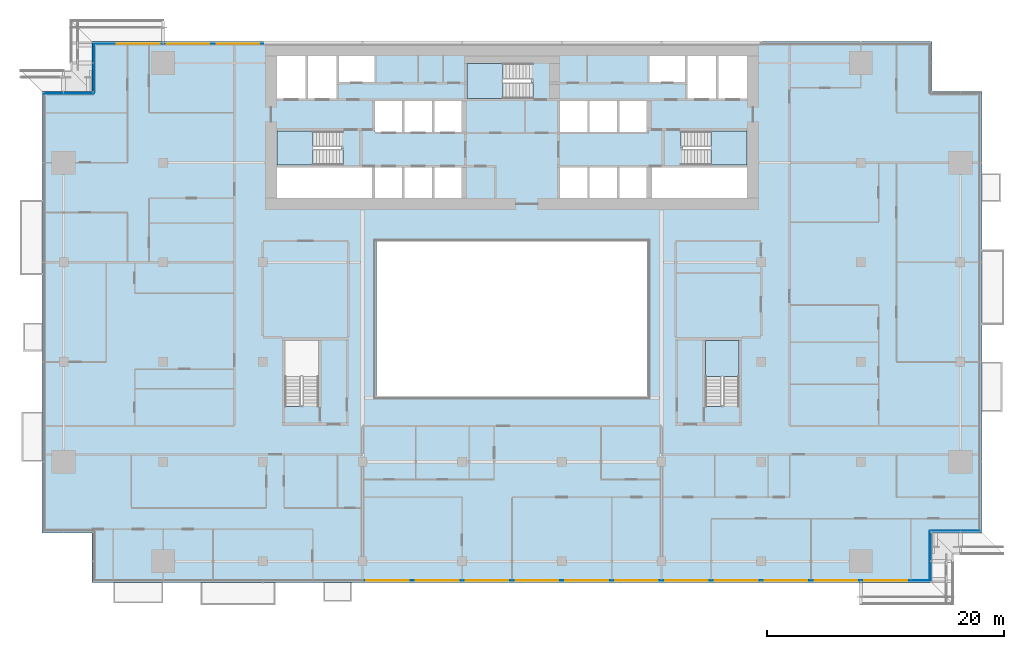
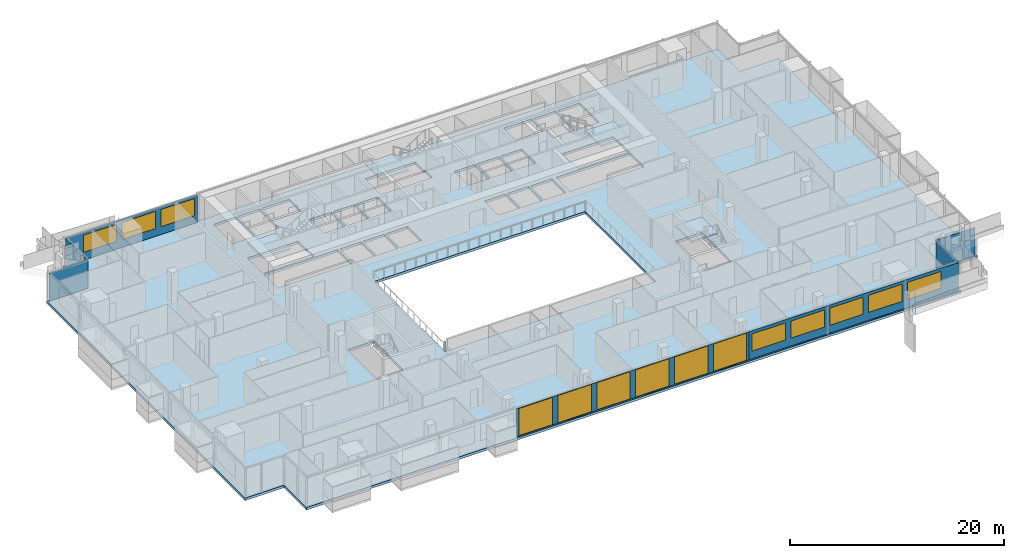
# One storey, part 15 of 29: 14 windows, 7 plates, 5 slabs, 14 openings, 10 elements without a shape of their own.
"""IFC4 building model written with IfcOpenShell, lengths in metres."""

from ifc_helpers import new_model, si_unit, direction, frame, frame_2d, origin, place, context, subcontext, project, spatial, polyline, rectangle, outline, extrude, material, layer, layer_set, type_object, element, fill, aggregate, save


model = new_model("IFC4")

# Units and contexts
model_context = context("Model", 3, precision=1e-05, world=origin(), true_north=direction((0.0, 1.0)))
body_context = subcontext(model_context, "Body", "Model", "MODEL_VIEW")
ifc_project = project(units=[si_unit("LENGTHUNIT", "METRE"), si_unit("AREAUNIT", "SQUARE_METRE"), si_unit("VOLUMEUNIT", "CUBIC_METRE"), si_unit("PLANEANGLEUNIT", "RADIAN"), si_unit("MASSUNIT", "GRAM", prefix="KILO")], contexts=[model_context])

# Site, building, storey
site_placement = place(None, origin())
site = spatial("IfcSite", under=ifc_project, at=site_placement, CompositionType="ELEMENT")
building_placement = place(site_placement, origin())
building = spatial("IfcBuilding", under=site, at=building_placement, Name="Saffron Gate Tower", CompositionType="ELEMENT")
storey_placement = place(building_placement, frame((0.0, 0.0, 106.050048828125)))
storey = spatial("IfcBuildingStorey", under=building, at=storey_placement, Name="L24", CompositionType="ELEMENT", Elevation=106.050048828125)

# Curtain wall, plates, openings, windows
ifc_material_1 = material(Name="Aluminium, bronze anodised", Category="aluminium")
curtain_wall_type_1 = type_object("IfcCurtainWallType", Name="CWS1 curtain wall front facade", PredefinedType="NOTDEFINED", material=ifc_material_1)
curtain_wall_1_placement = place(storey_placement, origin())
curtain_wall_1 = element("IfcCurtainWall", 1, at=curtain_wall_1_placement, inside=storey, type_object=curtain_wall_type_1, Name="CWS1 run 1", PredefinedType="NOTDEFINED")
ifc_material_2 = material(Name="Clear low-iron laminated glass", Category="glass")
ifc_layer_1 = layer(ifc_material_2, 0.028076171875)
ifc_layer_set_1 = layer_set([ifc_layer_1], Name="CWS1 clear glass")
plate_type_1 = type_object("IfcPlateType", Name="CWS1 clear glass", PredefinedType="CURTAIN_PANEL", material=ifc_layer_set_1)
plate_1_placement = place(storey_placement, frame((75.030029296875, 30.174072265625, 0.0), z_axis=(0.0, 0.0, 1.0), x_axis=(1.0, 0.0, 0.0)))
plate_1 = element("IfcPlate", 2, at=plate_1_placement, type_object=plate_type_1, Name="CWS1 clear glass panel", PredefinedType="CURTAIN_PANEL", context=body_context, shape_type="SweptSolid", body=[
    extrude(rectangle(XDim=25.139892578125, YDim=0.028076171875, at=frame_2d((12.56982421875, 0.0))), origin(), (0.0, 0.0, 1.0), 3.199951171875),
])
opening_1_placement = place(plate_1_placement, frame((0.27001953125, 0.0, 0.050048828125)))
opening_1 = element("IfcOpeningElement", 3, at=opening_1_placement, cuts=plate_1, Name="Opening WA", PredefinedType="OPENING", context=body_context, shape_type="SweptSolid", body=[
    extrude(rectangle(XDim=3.60009765625, YDim=3.10009765625, at=frame_2d((1.800048828125, 1.550048828125))), frame((0.0, 0.02392578125, 0.0), z_axis=(0.0, -1.0, 0.0), x_axis=(1.0, 0.0, 0.0)), (0.0, 0.0, 1.0), 0.048095703125),
])
opening_2_placement = place(plate_1_placement, frame((4.469970703125, 0.0, 0.050048828125)))
opening_2 = element("IfcOpeningElement", 4, at=opening_2_placement, cuts=plate_1, Name="Opening WA", PredefinedType="OPENING", context=body_context, shape_type="SweptSolid", body=[
    extrude(rectangle(XDim=3.60009765625, YDim=3.10009765625, at=frame_2d((1.800048828125, 1.550048828125))), frame((0.0, 0.02392578125, 0.0), z_axis=(0.0, -1.0, 0.0), x_axis=(1.0, 0.0, 0.0)), (0.0, 0.0, 1.0), 0.048095703125),
])
opening_3_placement = place(plate_1_placement, frame((8.669921875, 0.0, 0.050048828125)))
opening_3 = element("IfcOpeningElement", 5, at=opening_3_placement, cuts=plate_1, Name="Opening WA", PredefinedType="OPENING", context=body_context, shape_type="SweptSolid", body=[
    extrude(rectangle(XDim=3.60009765625, YDim=3.10009765625, at=frame_2d((1.800048828125, 1.550048828125))), frame((0.0, 0.02392578125, 0.0), z_axis=(0.0, -1.0, 0.0), x_axis=(1.0, 0.0, 0.0)), (0.0, 0.0, 1.0), 0.048095703125),
])
opening_4_placement = place(plate_1_placement, frame((12.8701171875, 0.0, 0.050048828125)))
opening_4 = element("IfcOpeningElement", 6, at=opening_4_placement, cuts=plate_1, Name="Opening WA", PredefinedType="OPENING", context=body_context, shape_type="SweptSolid", body=[
    extrude(rectangle(XDim=3.60009765625, YDim=3.10009765625, at=frame_2d((1.800048828125, 1.550048828125))), frame((0.0, 0.02392578125, 0.0), z_axis=(0.0, -1.0, 0.0), x_axis=(1.0, 0.0, 0.0)), (0.0, 0.0, 1.0), 0.048095703125),
])
opening_5_placement = place(plate_1_placement, frame((17.070068359375, 0.0, 0.050048828125)))
opening_5 = element("IfcOpeningElement", 7, at=opening_5_placement, cuts=plate_1, Name="Opening WA", PredefinedType="OPENING", context=body_context, shape_type="SweptSolid", body=[
    extrude(rectangle(XDim=3.60009765625, YDim=3.10009765625, at=frame_2d((1.800048828125, 1.550048828125))), frame((0.0, 0.02392578125, 0.0), z_axis=(0.0, -1.0, 0.0), x_axis=(1.0, 0.0, 0.0)), (0.0, 0.0, 1.0), 0.048095703125),
])
opening_6_placement = place(plate_1_placement, frame((21.27001953125, 0.0, 0.050048828125)))
opening_6 = element("IfcOpeningElement", 8, at=opening_6_placement, cuts=plate_1, Name="Opening WA", PredefinedType="OPENING", context=body_context, shape_type="SweptSolid", body=[
    extrude(rectangle(XDim=3.60009765625, YDim=3.10009765625, at=frame_2d((1.800048828125, 1.550048828125))), frame((0.0, 0.02392578125, 0.0), z_axis=(0.0, -1.0, 0.0), x_axis=(1.0, 0.0, 0.0)), (0.0, 0.0, 1.0), 0.048095703125),
])
ifc_material_3 = material(Name="Clear low-iron laminated glass in bronze frame", Category="glass")
ifc_layer_2 = layer(ifc_material_3, 0.06005859375)
ifc_layer_set_2 = layer_set([ifc_layer_2], Name="WA operable atrium unit 3600x3100")
window_type_1 = type_object("IfcWindowType", Name="WA operable atrium unit 3600x3100", PartitioningType="DOUBLE_PANEL_HORIZONTAL", PredefinedType="WINDOW", material=ifc_layer_set_2)
window_1_placement = place(opening_1_placement, origin())
window_1 = element("IfcWindow", 9, at=window_1_placement, type_object=window_type_1, Name="WA operable atrium unit", OverallHeight=3.10009765625, OverallWidth=3.60009765625, PartitioningType="SINGLE_PANEL", PredefinedType="WINDOW", context=body_context, shape_type="SweptSolid", body=[
    extrude(rectangle(XDim=3.60009765625, YDim=3.10009765625, at=frame_2d((1.800048828125, 1.550048828125))), frame((0.0, 0.013671875, 0.0), z_axis=(0.0, -1.0, 0.0), x_axis=(1.0, 0.0, 0.0)), (0.0, 0.0, 1.0), 0.027587890625),
])
fill(opening_1, window_1)
window_2_placement = place(opening_2_placement, origin())
window_2 = element("IfcWindow", 10, at=window_2_placement, type_object=window_type_1, Name="WA operable atrium unit", OverallHeight=3.10009765625, OverallWidth=3.60009765625, PartitioningType="SINGLE_PANEL", PredefinedType="WINDOW", context=body_context, shape_type="SweptSolid", body=[
    extrude(rectangle(XDim=3.60009765625, YDim=3.10009765625, at=frame_2d((1.800048828125, 1.550048828125))), frame((0.0, 0.013671875, 0.0), z_axis=(0.0, -1.0, 0.0), x_axis=(1.0, 0.0, 0.0)), (0.0, 0.0, 1.0), 0.027587890625),
])
fill(opening_2, window_2)
window_3_placement = place(opening_3_placement, origin())
window_3 = element("IfcWindow", 11, at=window_3_placement, type_object=window_type_1, Name="WA operable atrium unit", OverallHeight=3.10009765625, OverallWidth=3.60009765625, PartitioningType="SINGLE_PANEL", PredefinedType="WINDOW", context=body_context, shape_type="SweptSolid", body=[
    extrude(rectangle(XDim=3.60009765625, YDim=3.10009765625, at=frame_2d((1.800048828125, 1.550048828125))), frame((0.0, 0.013671875, 0.0), z_axis=(0.0, -1.0, 0.0), x_axis=(1.0, 0.0, 0.0)), (0.0, 0.0, 1.0), 0.027587890625),
])
fill(opening_3, window_3)
window_4_placement = place(opening_4_placement, origin())
window_4 = element("IfcWindow", 12, at=window_4_placement, type_object=window_type_1, Name="WA operable atrium unit", OverallHeight=3.10009765625, OverallWidth=3.60009765625, PartitioningType="SINGLE_PANEL", PredefinedType="WINDOW", context=body_context, shape_type="SweptSolid", body=[
    extrude(rectangle(XDim=3.60009765625, YDim=3.10009765625, at=frame_2d((1.800048828125, 1.550048828125))), frame((0.0, 0.013671875, 0.0), z_axis=(0.0, -1.0, 0.0), x_axis=(1.0, 0.0, 0.0)), (0.0, 0.0, 1.0), 0.027587890625),
])
fill(opening_4, window_4)
window_5_placement = place(opening_5_placement, origin())
window_5 = element("IfcWindow", 13, at=window_5_placement, type_object=window_type_1, Name="WA operable atrium unit", OverallHeight=3.10009765625, OverallWidth=3.60009765625, PartitioningType="SINGLE_PANEL", PredefinedType="WINDOW", context=body_context, shape_type="SweptSolid", body=[
    extrude(rectangle(XDim=3.60009765625, YDim=3.10009765625, at=frame_2d((1.800048828125, 1.550048828125))), frame((0.0, 0.013671875, 0.0), z_axis=(0.0, -1.0, 0.0), x_axis=(1.0, 0.0, 0.0)), (0.0, 0.0, 1.0), 0.027587890625),
])
fill(opening_5, window_5)
window_6_placement = place(opening_6_placement, origin())
window_6 = element("IfcWindow", 14, at=window_6_placement, type_object=window_type_1, Name="WA operable atrium unit", OverallHeight=3.10009765625, OverallWidth=3.60009765625, PartitioningType="SINGLE_PANEL", PredefinedType="WINDOW", context=body_context, shape_type="SweptSolid", body=[
    extrude(rectangle(XDim=3.60009765625, YDim=3.10009765625, at=frame_2d((1.800048828125, 1.550048828125))), frame((0.0, 0.013671875, 0.0), z_axis=(0.0, -1.0, 0.0), x_axis=(1.0, 0.0, 0.0)), (0.0, 0.0, 1.0), 0.027587890625),
])
fill(opening_6, window_6)
ifc_material_4 = material(Name="Fritted bronze-tinted laminated glass", Category="glass")
ifc_layer_3 = layer(ifc_material_4, 0.028076171875)
ifc_layer_set_3 = layer_set([ifc_layer_3], Name="CWS1 fixed glass")
plate_type_2 = type_object("IfcPlateType", Name="CWS1 fixed glass", PredefinedType="CURTAIN_PANEL", material=ifc_layer_set_3)
plate_2_placement = place(storey_placement, frame((100.169921875, 30.174072265625, 0.0), z_axis=(0.0, 0.0, 1.0), x_axis=(1.0, 0.0, 0.0)))
plate_2 = element("IfcPlate", 15, at=plate_2_placement, type_object=plate_type_2, Name="CWS1 glass panel", PredefinedType="CURTAIN_PANEL", context=body_context, shape_type="SweptSolid", body=[
    extrude(rectangle(XDim=22.64208984375, YDim=0.028076171875, at=frame_2d((11.321044921875, 0.0))), origin(), (0.0, 0.0, 1.0), 3.199951171875),
])
opening_7_placement = place(plate_2_placement, frame((0.330078125, 0.0, 0.89990234375)))
opening_7 = element("IfcOpeningElement", 16, at=opening_7_placement, cuts=plate_2, Name="Opening W1", PredefinedType="OPENING", context=body_context, shape_type="SweptSolid", body=[
    extrude(rectangle(XDim=3.60009765625, YDim=1.949951171875, at=frame_2d((1.800048828125, 0.97509765625))), frame((0.0, 0.02392578125, 0.0), z_axis=(0.0, -1.0, 0.0), x_axis=(1.0, 0.0, 0.0)), (0.0, 0.0, 1.0), 0.048095703125),
])
opening_8_placement = place(plate_2_placement, frame((4.530029296875, 0.0, 0.89990234375)))
opening_8 = element("IfcOpeningElement", 17, at=opening_8_placement, cuts=plate_2, Name="Opening W1", PredefinedType="OPENING", context=body_context, shape_type="SweptSolid", body=[
    extrude(rectangle(XDim=3.60009765625, YDim=1.949951171875, at=frame_2d((1.800048828125, 0.97509765625))), frame((0.0, 0.02392578125, 0.0), z_axis=(0.0, -1.0, 0.0), x_axis=(1.0, 0.0, 0.0)), (0.0, 0.0, 1.0), 0.048095703125),
])
opening_9_placement = place(plate_2_placement, frame((8.72998046875, 0.0, 0.89990234375)))
opening_9 = element("IfcOpeningElement", 18, at=opening_9_placement, cuts=plate_2, Name="Opening W1", PredefinedType="OPENING", context=body_context, shape_type="SweptSolid", body=[
    extrude(rectangle(XDim=3.60009765625, YDim=1.949951171875, at=frame_2d((1.800048828125, 0.97509765625))), frame((0.0, 0.02392578125, 0.0), z_axis=(0.0, -1.0, 0.0), x_axis=(1.0, 0.0, 0.0)), (0.0, 0.0, 1.0), 0.048095703125),
])
opening_10_placement = place(plate_2_placement, frame((12.929931640625, 0.0, 0.89990234375)))
opening_10 = element("IfcOpeningElement", 19, at=opening_10_placement, cuts=plate_2, Name="Opening W1", PredefinedType="OPENING", context=body_context, shape_type="SweptSolid", body=[
    extrude(rectangle(XDim=3.60009765625, YDim=1.949951171875, at=frame_2d((1.800048828125, 0.97509765625))), frame((0.0, 0.02392578125, 0.0), z_axis=(0.0, -1.0, 0.0), x_axis=(1.0, 0.0, 0.0)), (0.0, 0.0, 1.0), 0.048095703125),
])
opening_11_placement = place(plate_2_placement, frame((17.1298828125, 0.0, 0.89990234375)))
opening_11 = element("IfcOpeningElement", 20, at=opening_11_placement, cuts=plate_2, Name="Opening W1", PredefinedType="OPENING", context=body_context, shape_type="SweptSolid", body=[
    extrude(rectangle(XDim=3.60009765625, YDim=1.949951171875, at=frame_2d((1.800048828125, 0.97509765625))), frame((0.0, 0.02392578125, 0.0), z_axis=(0.0, -1.0, 0.0), x_axis=(1.0, 0.0, 0.0)), (0.0, 0.0, 1.0), 0.048095703125),
])
ifc_material_5 = material(Name="Fritted bronze-tinted laminated glass in bronze frame", Category="glass")
ifc_layer_4 = layer(ifc_material_5, 0.06005859375)
ifc_layer_set_4 = layer_set([ifc_layer_4], Name="W1 operable panel 3600x1950")
window_type_2 = type_object("IfcWindowType", Name="W1 operable panel 3600x1950", PartitioningType="DOUBLE_PANEL_HORIZONTAL", PredefinedType="WINDOW", material=ifc_layer_set_4)
window_7_placement = place(opening_7_placement, origin())
window_7 = element("IfcWindow", 21, at=window_7_placement, type_object=window_type_2, Name="W1 operable panel", OverallHeight=1.949951171875, OverallWidth=3.60009765625, PartitioningType="SINGLE_PANEL", PredefinedType="WINDOW", context=body_context, shape_type="SweptSolid", body=[
    extrude(rectangle(XDim=3.60009765625, YDim=1.949951171875, at=frame_2d((1.800048828125, 0.97509765625))), frame((0.0, 0.013671875, 0.0), z_axis=(0.0, -1.0, 0.0), x_axis=(1.0, 0.0, 0.0)), (0.0, 0.0, 1.0), 0.027587890625),
])
fill(opening_7, window_7)
window_8_placement = place(opening_8_placement, origin())
window_8 = element("IfcWindow", 22, at=window_8_placement, type_object=window_type_2, Name="W1 operable panel", OverallHeight=1.949951171875, OverallWidth=3.60009765625, PartitioningType="SINGLE_PANEL", PredefinedType="WINDOW", context=body_context, shape_type="SweptSolid", body=[
    extrude(rectangle(XDim=3.60009765625, YDim=1.949951171875, at=frame_2d((1.800048828125, 0.97509765625))), frame((0.0, 0.013671875, 0.0), z_axis=(0.0, -1.0, 0.0), x_axis=(1.0, 0.0, 0.0)), (0.0, 0.0, 1.0), 0.027587890625),
])
fill(opening_8, window_8)
window_9_placement = place(opening_9_placement, origin())
window_9 = element("IfcWindow", 23, at=window_9_placement, type_object=window_type_2, Name="W1 operable panel", OverallHeight=1.949951171875, OverallWidth=3.60009765625, PartitioningType="SINGLE_PANEL", PredefinedType="WINDOW", context=body_context, shape_type="SweptSolid", body=[
    extrude(rectangle(XDim=3.60009765625, YDim=1.949951171875, at=frame_2d((1.800048828125, 0.97509765625))), frame((0.0, 0.013671875, 0.0), z_axis=(0.0, -1.0, 0.0), x_axis=(1.0, 0.0, 0.0)), (0.0, 0.0, 1.0), 0.027587890625),
])
fill(opening_9, window_9)
window_10_placement = place(opening_10_placement, origin())
window_10 = element("IfcWindow", 24, at=window_10_placement, type_object=window_type_2, Name="W1 operable panel", OverallHeight=1.949951171875, OverallWidth=3.60009765625, PartitioningType="SINGLE_PANEL", PredefinedType="WINDOW", context=body_context, shape_type="SweptSolid", body=[
    extrude(rectangle(XDim=3.60009765625, YDim=1.949951171875, at=frame_2d((1.800048828125, 0.97509765625))), frame((0.0, 0.013671875, 0.0), z_axis=(0.0, -1.0, 0.0), x_axis=(1.0, 0.0, 0.0)), (0.0, 0.0, 1.0), 0.027587890625),
])
fill(opening_10, window_10)
window_11_placement = place(opening_11_placement, origin())
window_11 = element("IfcWindow", 25, at=window_11_placement, type_object=window_type_2, Name="W1 operable panel", OverallHeight=1.949951171875, OverallWidth=3.60009765625, PartitioningType="SINGLE_PANEL", PredefinedType="WINDOW", context=body_context, shape_type="SweptSolid", body=[
    extrude(rectangle(XDim=3.60009765625, YDim=1.949951171875, at=frame_2d((1.800048828125, 0.97509765625))), frame((0.0, 0.013671875, 0.0), z_axis=(0.0, -1.0, 0.0), x_axis=(1.0, 0.0, 0.0)), (0.0, 0.0, 1.0), 0.027587890625),
])
fill(opening_11, window_11)
aggregate(curtain_wall_1, [plate_2, plate_1, window_7, window_8, window_9, window_10, window_11, window_1, window_2, window_3, window_4, window_5, window_6])

# Curtain wall, plate, openings, windows
curtain_wall_type_2 = type_object("IfcCurtainWallType", Name="CWS3 curtain wall rear facade", PredefinedType="NOTDEFINED", material=ifc_material_1)
curtain_wall_2_placement = place(storey_placement, origin())
curtain_wall_2 = element("IfcCurtainWall", 26, at=curtain_wall_2_placement, inside=storey, type_object=curtain_wall_type_2, Name="CWS3 run 7", PredefinedType="NOTDEFINED")
ifc_material_6 = material(Name="Fritted grey-tinted laminated glass", Category="glass")
ifc_layer_5 = layer(ifc_material_6, 0.028076171875)
ifc_layer_set_5 = layer_set([ifc_layer_5], Name="CWS3 fixed glass")
plate_type_3 = type_object("IfcPlateType", Name="CWS3 fixed glass", PredefinedType="CURTAIN_PANEL", material=ifc_layer_set_5)
plate_3_placement = place(storey_placement, frame((66.635009765625, 75.426025390625, 0.0), z_axis=(0.0, 0.0, 1.0), x_axis=(-1.0, 0.0, 0.0)))
plate_3 = element("IfcPlate", 27, at=plate_3_placement, type_object=plate_type_3, Name="CWS3 glass panel", PredefinedType="CURTAIN_PANEL", context=body_context, shape_type="SweptSolid", body=[
    extrude(rectangle(XDim=14.2470703125, YDim=0.028076171875, at=frame_2d((7.12353515625, 0.0))), origin(), (0.0, 0.0, 1.0), 3.199951171875),
])
opening_12_placement = place(plate_3_placement, frame((0.3349609375, 0.0, 0.89990234375)))
opening_12 = element("IfcOpeningElement", 28, at=opening_12_placement, cuts=plate_3, Name="Opening W1", PredefinedType="OPENING", context=body_context, shape_type="SweptSolid", body=[
    extrude(rectangle(XDim=3.60009765625, YDim=1.949951171875, at=frame_2d((1.800048828125, 0.97509765625))), frame((0.0, 0.02392578125, 0.0), z_axis=(0.0, -1.0, 0.0), x_axis=(1.0, 0.0, 0.0)), (0.0, 0.0, 1.0), 0.048095703125),
])
opening_13_placement = place(plate_3_placement, frame((4.534912109375, 0.0, 0.89990234375)))
opening_13 = element("IfcOpeningElement", 29, at=opening_13_placement, cuts=plate_3, Name="Opening W1", PredefinedType="OPENING", context=body_context, shape_type="SweptSolid", body=[
    extrude(rectangle(XDim=3.60009765625, YDim=1.949951171875, at=frame_2d((1.800048828125, 0.97509765625))), frame((0.0, 0.02392578125, 0.0), z_axis=(0.0, -1.0, 0.0), x_axis=(1.0, 0.0, 0.0)), (0.0, 0.0, 1.0), 0.048095703125),
])
opening_14_placement = place(plate_3_placement, frame((8.735107421875, 0.0, 0.89990234375)))
opening_14 = element("IfcOpeningElement", 30, at=opening_14_placement, cuts=plate_3, Name="Opening W1", PredefinedType="OPENING", context=body_context, shape_type="SweptSolid", body=[
    extrude(rectangle(XDim=3.60009765625, YDim=1.949951171875, at=frame_2d((1.800048828125, 0.97509765625))), frame((0.0, 0.02392578125, 0.0), z_axis=(0.0, -1.0, 0.0), x_axis=(1.0, 0.0, 0.0)), (0.0, 0.0, 1.0), 0.048095703125),
])
window_12_placement = place(opening_12_placement, origin())
window_12 = element("IfcWindow", 31, at=window_12_placement, type_object=window_type_2, Name="W1 operable panel", OverallHeight=1.949951171875, OverallWidth=3.60009765625, PartitioningType="SINGLE_PANEL", PredefinedType="WINDOW", context=body_context, shape_type="SweptSolid", body=[
    extrude(rectangle(XDim=3.60009765625, YDim=1.949951171875, at=frame_2d((1.800048828125, 0.97509765625))), frame((0.0, 0.013671875, 0.0), z_axis=(0.0, -1.0, 0.0), x_axis=(1.0, 0.0, 0.0)), (0.0, 0.0, 1.0), 0.027587890625),
])
fill(opening_12, window_12)
window_13_placement = place(opening_13_placement, origin())
window_13 = element("IfcWindow", 32, at=window_13_placement, type_object=window_type_2, Name="W1 operable panel", OverallHeight=1.949951171875, OverallWidth=3.60009765625, PartitioningType="SINGLE_PANEL", PredefinedType="WINDOW", context=body_context, shape_type="SweptSolid", body=[
    extrude(rectangle(XDim=3.60009765625, YDim=1.949951171875, at=frame_2d((1.800048828125, 0.97509765625))), frame((0.0, 0.013671875, 0.0), z_axis=(0.0, -1.0, 0.0), x_axis=(1.0, 0.0, 0.0)), (0.0, 0.0, 1.0), 0.027587890625),
])
fill(opening_13, window_13)
window_14_placement = place(opening_14_placement, origin())
window_14 = element("IfcWindow", 33, at=window_14_placement, type_object=window_type_2, Name="W1 operable panel", OverallHeight=1.949951171875, OverallWidth=3.60009765625, PartitioningType="SINGLE_PANEL", PredefinedType="WINDOW", context=body_context, shape_type="SweptSolid", body=[
    extrude(rectangle(XDim=3.60009765625, YDim=1.949951171875, at=frame_2d((1.800048828125, 0.97509765625))), frame((0.0, 0.013671875, 0.0), z_axis=(0.0, -1.0, 0.0), x_axis=(1.0, 0.0, 0.0)), (0.0, 0.0, 1.0), 0.027587890625),
])
fill(opening_14, window_14)
aggregate(curtain_wall_2, [plate_3, window_12, window_13, window_14])

# Curtain wall, plate
curtain_wall_type_3 = type_object("IfcCurtainWallType", Name="CWS4 curtain wall corner returns", PredefinedType="NOTDEFINED", material=ifc_material_1)
curtain_wall_3_placement = place(storey_placement, origin())
curtain_wall_3 = element("IfcCurtainWall", 34, at=curtain_wall_3_placement, inside=storey, type_object=curtain_wall_type_3, Name="CWS4 run 2", PredefinedType="NOTDEFINED")
ifc_layer_6 = layer(ifc_material_4, 0.028076171875)
ifc_layer_set_6 = layer_set([ifc_layer_6], Name="CWS4 fixed glass")
plate_type_4 = type_object("IfcPlateType", Name="CWS4 fixed glass", PredefinedType="CURTAIN_PANEL", material=ifc_layer_set_6)
plate_4_placement = place(storey_placement, frame((122.825927734375, 30.18798828125, 0.0), z_axis=(0.0, 0.0, 1.0), x_axis=(0.0, 1.0, 0.0)))
plate_4 = element("IfcPlate", 35, at=plate_4_placement, type_object=plate_type_4, Name="CWS4 glass panel", PredefinedType="CURTAIN_PANEL", context=body_context, shape_type="SweptSolid", body=[
    extrude(rectangle(XDim=4.172119140625, YDim=0.028076171875, at=frame_2d((2.0859375, 0.0))), origin(), (0.0, 0.0, 1.0), 3.199951171875),
])
aggregate(curtain_wall_3, [plate_4])

curtain_wall_4_placement = place(storey_placement, origin())
curtain_wall_4 = element("IfcCurtainWall", 36, at=curtain_wall_4_placement, inside=storey, type_object=curtain_wall_type_3, Name="CWS4 run 3", PredefinedType="NOTDEFINED")
plate_5_placement = place(storey_placement, frame((122.840087890625, 34.3740234375, 0.0), z_axis=(0.0, 0.0, 1.0), x_axis=(1.0, 0.0, 0.0)))
plate_5 = element("IfcPlate", 37, at=plate_5_placement, type_object=plate_type_4, Name="CWS4 glass panel", PredefinedType="CURTAIN_PANEL", context=body_context, shape_type="SweptSolid", body=[
    extrude(rectangle(XDim=4.171875, YDim=0.028076171875, at=frame_2d((2.0859375, 0.0))), origin(), (0.0, 0.0, 1.0), 3.199951171875),
])
aggregate(curtain_wall_4, [plate_5])

curtain_wall_5_placement = place(storey_placement, origin())
curtain_wall_5 = element("IfcCurtainWall", 38, at=curtain_wall_5_placement, inside=storey, type_object=curtain_wall_type_3, Name="CWS4 run 8", PredefinedType="NOTDEFINED")
plate_6_placement = place(storey_placement, frame((52.3740234375, 75.412109375, 0.0), z_axis=(0.0, 0.0, 1.0), x_axis=(0.0, -1.0, 0.0)))
plate_6 = element("IfcPlate", 39, at=plate_6_placement, type_object=plate_type_4, Name="CWS4 glass panel", PredefinedType="CURTAIN_PANEL", context=body_context, shape_type="SweptSolid", body=[
    extrude(rectangle(XDim=4.172119140625, YDim=0.028076171875, at=frame_2d((2.0859375, 0.0))), origin(), (0.0, 0.0, 1.0), 3.199951171875),
])
aggregate(curtain_wall_5, [plate_6])

curtain_wall_6_placement = place(storey_placement, origin())
curtain_wall_6 = element("IfcCurtainWall", 40, at=curtain_wall_6_placement, inside=storey, type_object=curtain_wall_type_3, Name="CWS4 run 9", PredefinedType="NOTDEFINED")
plate_7_placement = place(storey_placement, frame((52.360107421875, 71.22607421875, 0.0), z_axis=(0.0, 0.0, 1.0), x_axis=(-1.0, 0.0, 0.0)))
plate_7 = element("IfcPlate", 41, at=plate_7_placement, type_object=plate_type_4, Name="CWS4 glass panel", PredefinedType="CURTAIN_PANEL", context=body_context, shape_type="SweptSolid", body=[
    extrude(rectangle(XDim=4.172119140625, YDim=0.028076171875, at=frame_2d((2.0859375, 0.0))), origin(), (0.0, 0.0, 1.0), 3.199951171875),
])
aggregate(curtain_wall_6, [plate_7])

# Slab
ifc_material_7 = material(Name="Concrete C40", Category="concrete")
ifc_layer_7 = layer(ifc_material_7, 0.280029296875)
ifc_layer_set_7 = layer_set([ifc_layer_7], Name="S2 FLOOR SLAB 280 CONCRETE C40")
slab_type_1 = type_object("IfcSlabType", Name="S2 FLOOR SLAB 280 CONCRETE C40", PredefinedType="FLOOR", material=ifc_layer_set_7)
slab_1_placement = place(storey_placement, frame((0.0, 0.0, -0.280029296875)))
element("IfcSlab", 42, at=slab_1_placement, inside=storey, type_object=slab_type_1, Name="S2 FLOOR SLAB", PredefinedType="FLOOR", context=body_context, shape_type="SweptSolid", body=[
    extrude(outline(polyline([(48.0, 34.199951171875), (52.199951171875, 34.199951171875), (52.199951171875, 30.0), (123.0, 30.0), (123.0, 34.199951171875), (127.199951171875, 34.199951171875), (127.199951171875, 71.39990234375), (123.0, 71.39990234375), (123.0, 75.60009765625), (52.199951171875, 75.60009765625), (52.199951171875, 71.39990234375), (48.0, 71.39990234375), (48.0, 34.199951171875)]), holes=[polyline([(67.800048828125, 62.39990234375), (67.800048828125, 65.0), (75.800048828125, 65.0), (75.800048828125, 62.39990234375), (67.800048828125, 62.39990234375)]), polyline([(67.800048828125, 65.199951171875), (67.800048828125, 68.050048828125), (73.25, 68.050048828125), (73.25, 66.550048828125), (73.34912109375, 66.550048828125), (73.34912109375, 65.199951171875), (67.800048828125, 65.199951171875)]), polyline([(67.800048828125, 70.800048828125), (67.800048828125, 74.39990234375), (70.199951171875, 74.39990234375), (70.199951171875, 70.800048828125), (67.800048828125, 70.800048828125)]), polyline([(68.449951171875, 44.85107421875), (68.449951171875, 50.39990234375), (71.300048828125, 50.39990234375), (71.300048828125, 44.949951171875), (69.800048828125, 44.949951171875), (69.800048828125, 44.85107421875), (68.449951171875, 44.85107421875)]), polyline([(70.39990234375, 70.800048828125), (70.39990234375, 74.39990234375), (72.800048828125, 74.39990234375), (72.800048828125, 70.800048828125), (70.39990234375, 70.800048828125)]), polyline([(73.0, 72.199951171875), (73.0, 74.39990234375), (76.0, 74.39990234375), (76.0, 72.199951171875), (73.0, 72.199951171875)]), polyline([(76.050048828125, 62.39990234375), (76.050048828125, 65.0), (78.35009765625, 65.0), (78.35009765625, 62.39990234375), (76.050048828125, 62.39990234375)]), polyline([(76.050048828125, 68.0), (76.050048828125, 70.60009765625), (78.35009765625, 70.60009765625), (78.35009765625, 68.0), (76.050048828125, 68.0)]), polyline([(76.199951171875, 45.60009765625), (76.199951171875, 58.800048828125), (99.0, 58.800048828125), (99.0, 45.60009765625), (76.199951171875, 45.60009765625)]), polyline([(78.550048828125, 62.39990234375), (78.550048828125, 65.0), (80.85009765625, 65.0), (80.85009765625, 62.39990234375), (78.550048828125, 62.39990234375)]), polyline([(78.550048828125, 68.0), (78.550048828125, 70.60009765625), (80.85009765625, 70.60009765625), (80.85009765625, 68.0), (78.550048828125, 68.0)]), polyline([(81.050048828125, 62.39990234375), (81.050048828125, 65.0), (83.35009765625, 65.0), (83.35009765625, 62.39990234375), (81.050048828125, 62.39990234375)]), polyline([(81.050048828125, 68.0), (81.050048828125, 70.60009765625), (83.35009765625, 70.60009765625), (83.35009765625, 68.0), (81.050048828125, 68.0)]), polyline([(83.800048828125, 70.800048828125), (83.800048828125, 73.75), (89.25, 73.75), (89.25, 72.14990234375), (89.34912109375, 72.14990234375), (89.34912109375, 70.800048828125), (83.800048828125, 70.800048828125)]), polyline([(91.64990234375, 62.39990234375), (91.64990234375, 65.0), (93.949951171875, 65.0), (93.949951171875, 62.39990234375), (91.64990234375, 62.39990234375)]), polyline([(91.64990234375, 68.0), (91.64990234375, 70.60009765625), (93.949951171875, 70.60009765625), (93.949951171875, 68.0), (91.64990234375, 68.0)]), polyline([(94.14990234375, 62.39990234375), (94.14990234375, 65.0), (96.449951171875, 65.0), (96.449951171875, 62.39990234375), (94.14990234375, 62.39990234375)]), polyline([(94.14990234375, 68.0), (94.14990234375, 70.60009765625), (96.449951171875, 70.60009765625), (96.449951171875, 68.0), (94.14990234375, 68.0)]), polyline([(96.64990234375, 62.39990234375), (96.64990234375, 65.0), (98.949951171875, 65.0), (98.949951171875, 62.39990234375), (96.64990234375, 62.39990234375)]), polyline([(96.64990234375, 68.0), (96.64990234375, 70.60009765625), (98.949951171875, 70.60009765625), (98.949951171875, 68.0), (96.64990234375, 68.0)]), polyline([(99.199951171875, 72.199951171875), (99.199951171875, 74.39990234375), (102.199951171875, 74.39990234375), (102.199951171875, 72.199951171875), (99.199951171875, 72.199951171875)]), polyline([(99.39990234375, 62.39990234375), (99.39990234375, 65.0), (107.39990234375, 65.0), (107.39990234375, 62.39990234375), (99.39990234375, 62.39990234375)]), polyline([(101.85107421875, 66.699951171875), (101.85107421875, 68.050048828125), (107.39990234375, 68.050048828125), (107.39990234375, 65.199951171875), (101.949951171875, 65.199951171875), (101.949951171875, 66.699951171875), (101.85107421875, 66.699951171875)]), polyline([(102.39990234375, 70.800048828125), (102.39990234375, 74.39990234375), (104.800048828125, 74.39990234375), (104.800048828125, 70.800048828125), (102.39990234375, 70.800048828125)]), polyline([(103.89990234375, 44.85107421875), (103.89990234375, 50.39990234375), (106.75, 50.39990234375), (106.75, 44.949951171875), (105.25, 44.949951171875), (105.25, 44.85107421875), (103.89990234375, 44.85107421875)]), polyline([(105.0, 70.800048828125), (105.0, 74.39990234375), (107.39990234375, 74.39990234375), (107.39990234375, 70.800048828125), (105.0, 70.800048828125)])]), origin(), (0.0, 0.0, 1.0), 0.280029296875),
])

# Stair, slab
stair_type = type_object("IfcStairType", Name="ST7 Stair 1350 wide, 20 risers of 180", PredefinedType="HALF_TURN_STAIR", material=ifc_material_7)
stair_1_placement = place(storey_placement, origin())
stair_1 = element("IfcStair", 43, at=stair_1_placement, inside=storey, type_object=stair_type, Name="L24 Exit stair A", PredefinedType="HALF_TURN_STAIR")
ifc_layer_8 = layer(ifc_material_7, 0.199951171875)
ifc_layer_set_8 = layer_set([ifc_layer_8], Name="SL1 Stair landing 200")
slab_type_2 = type_object("IfcSlabType", Name="SL1 Stair landing 200", PredefinedType="LANDING", material=ifc_layer_set_8)
slab_2_placement = place(storey_placement, frame((0.0, 0.0, 1.599853515625)))
slab_2 = element("IfcSlab", 44, at=slab_2_placement, type_object=slab_type_2, Name="ST-A landing 1", PredefinedType="LANDING", context=body_context, shape_type="SweptSolid", body=[
    extrude(outline(polyline([(70.830078125, 68.050048828125), (67.800048828125, 68.050048828125), (67.800048828125, 65.199951171875), (70.830078125, 65.199951171875), (70.830078125, 68.050048828125)])), origin(), (0.0, 0.0, 1.0), 0.2001953125),
])
aggregate(stair_1, [slab_2])

stair_2_placement = place(storey_placement, origin())
stair_2 = element("IfcStair", 45, at=stair_2_placement, inside=storey, type_object=stair_type, Name="L24 Exit stair B", PredefinedType="HALF_TURN_STAIR")
slab_3_placement = place(storey_placement, frame((0.0, 0.0, 1.599853515625)))
slab_3 = element("IfcSlab", 46, at=slab_3_placement, type_object=slab_type_2, Name="ST-B landing 1", PredefinedType="LANDING", context=body_context, shape_type="SweptSolid", body=[
    extrude(outline(polyline([(104.3701171875, 65.199951171875), (107.39990234375, 65.199951171875), (107.39990234375, 68.050048828125), (104.3701171875, 68.050048828125), (104.3701171875, 65.199951171875)])), origin(), (0.0, 0.0, 1.0), 0.2001953125),
])
aggregate(stair_2, [slab_3])

stair_3_placement = place(storey_placement, origin())
stair_3 = element("IfcStair", 47, at=stair_3_placement, inside=storey, type_object=stair_type, Name="L24 Exit stair C", PredefinedType="HALF_TURN_STAIR")
slab_4_placement = place(storey_placement, frame((0.0, 0.0, 1.599853515625)))
slab_4 = element("IfcSlab", 48, at=slab_4_placement, type_object=slab_type_2, Name="ST-C landing 1", PredefinedType="LANDING", context=body_context, shape_type="SweptSolid", body=[
    extrude(outline(polyline([(86.830078125, 73.75), (83.800048828125, 73.75), (83.800048828125, 70.800048828125), (86.830078125, 70.800048828125), (86.830078125, 73.75)])), origin(), (0.0, 0.0, 1.0), 0.2001953125),
])
aggregate(stair_3, [slab_4])

stair_4_placement = place(storey_placement, origin())
stair_4 = element("IfcStair", 49, at=stair_4_placement, inside=storey, type_object=stair_type, Name="L24 Exit stair E", PredefinedType="HALF_TURN_STAIR")
slab_5_placement = place(storey_placement, frame((0.0, 0.0, 1.599853515625)))
slab_5 = element("IfcSlab", 50, at=slab_5_placement, type_object=slab_type_2, Name="ST-E landing 1", PredefinedType="LANDING", context=body_context, shape_type="SweptSolid", body=[
    extrude(outline(polyline([(106.75, 47.3701171875), (106.75, 50.39990234375), (103.89990234375, 50.39990234375), (103.89990234375, 47.3701171875), (106.75, 47.3701171875)])), origin(), (0.0, 0.0, 1.0), 0.2001953125),
])
aggregate(stair_4, [slab_5])

save(model, "model.ifc")
